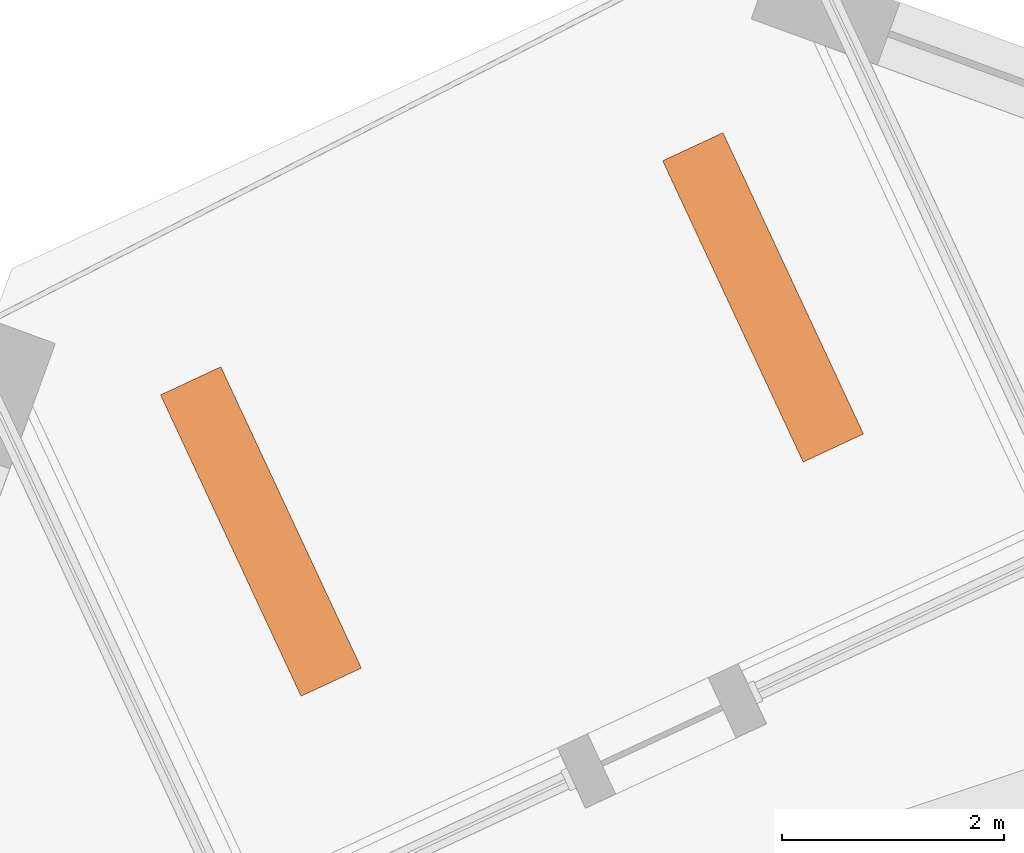
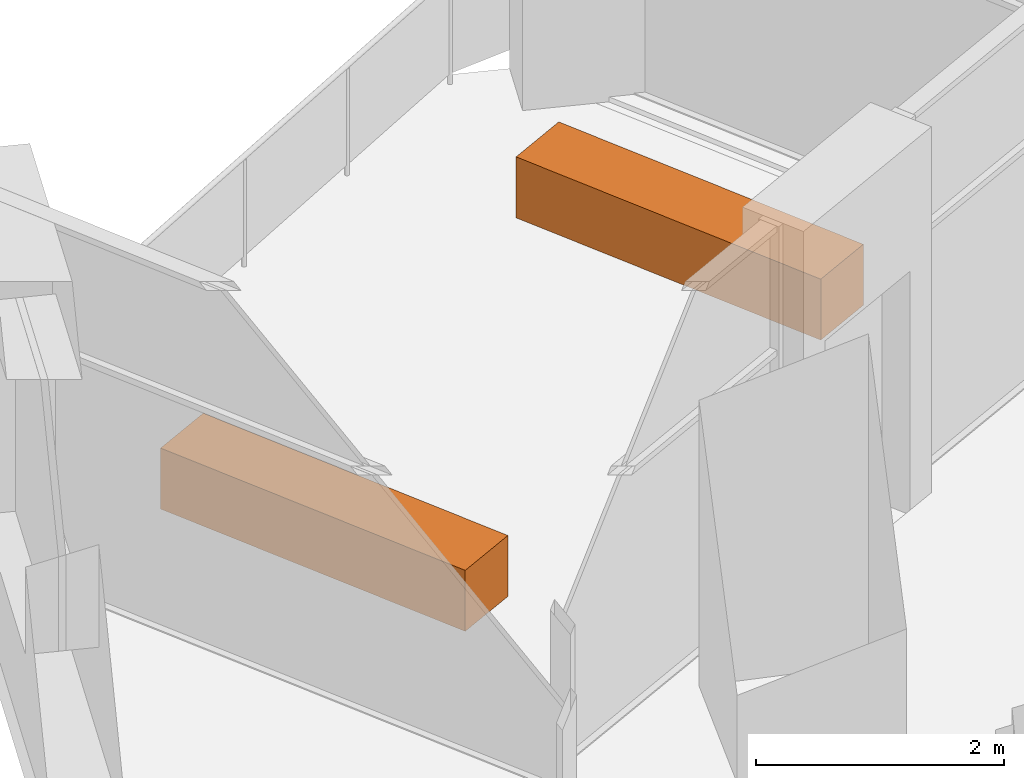
# One storey, part 13 of 13: 2 proxies.
"""IFC4 building model written with IfcOpenShell, lengths in metres."""

from ifc_helpers import new_model, si_unit, direction, frame, origin, origin_2d, place, context, subcontext, project, spatial, rectangle, extrude, element, save


model = new_model("IFC4")

# Units and contexts
model_context = context("Model", 3, precision=1e-05, world=origin(), true_north=direction((0.0, 1.0)))
body_context = subcontext(model_context, "Body", "Model", "MODEL_VIEW")
ifc_project = project(units=[si_unit("LENGTHUNIT", "METRE"), si_unit("AREAUNIT", "SQUARE_METRE"), si_unit("VOLUMEUNIT", "CUBIC_METRE"), si_unit("PLANEANGLEUNIT", "RADIAN"), si_unit("MASSUNIT", "GRAM", prefix="KILO")], contexts=[model_context])

# Site, building, storey
site_placement = place(None, origin())
site = spatial("IfcSite", under=ifc_project, at=site_placement, CompositionType="ELEMENT")
building_placement = place(site_placement, origin())
building = spatial("IfcBuilding", under=site, at=building_placement, Name="Dilmun Exchange Tower", CompositionType="ELEMENT")
storey_placement = place(building_placement, frame((0.0, 0.0, 304.5)))
storey = spatial("IfcBuildingStorey", under=building, at=storey_placement, Name="L72", CompositionType="ELEMENT", Elevation=304.5)

# Proxies
for number, where, z_axis, x_axis, name in (
    (1, (-10.041015625, 32.468017578125, 0.0), (0.0, 0.0, 1.0), (-0.422618261741, 0.906307787037, 0.0), "PLANTER Desert shrub L72.1"),
    (2, (-14.572509765625, 30.35498046875, 0.0), (0.0, 0.0, 1.0), (-0.422618261741, 0.906307787037, 0.0), "PLANTER Desert shrub L72.2"),
):
    element("IfcBuildingElementProxy", number, at=place(storey_placement, frame(where, z_axis=z_axis, x_axis=x_axis)), inside=storey, Name=name, ObjectType="PLANTER", PredefinedType="USERDEFINED", context=body_context, shape_type="SweptSolid", body=[
        extrude(rectangle(XDim=3.0, YDim=0.60009765625, at=origin_2d()), origin(), (0.0, 0.0, 1.0), 0.60009765625),
    ])

save(model, "model.ifc")
